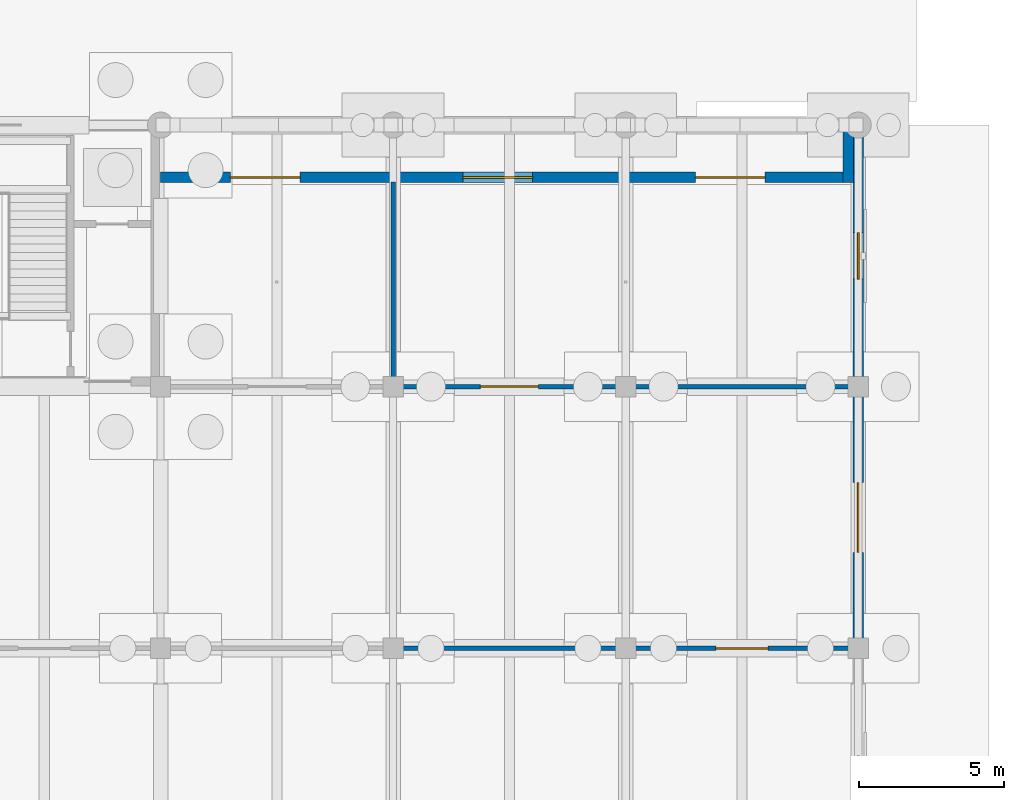
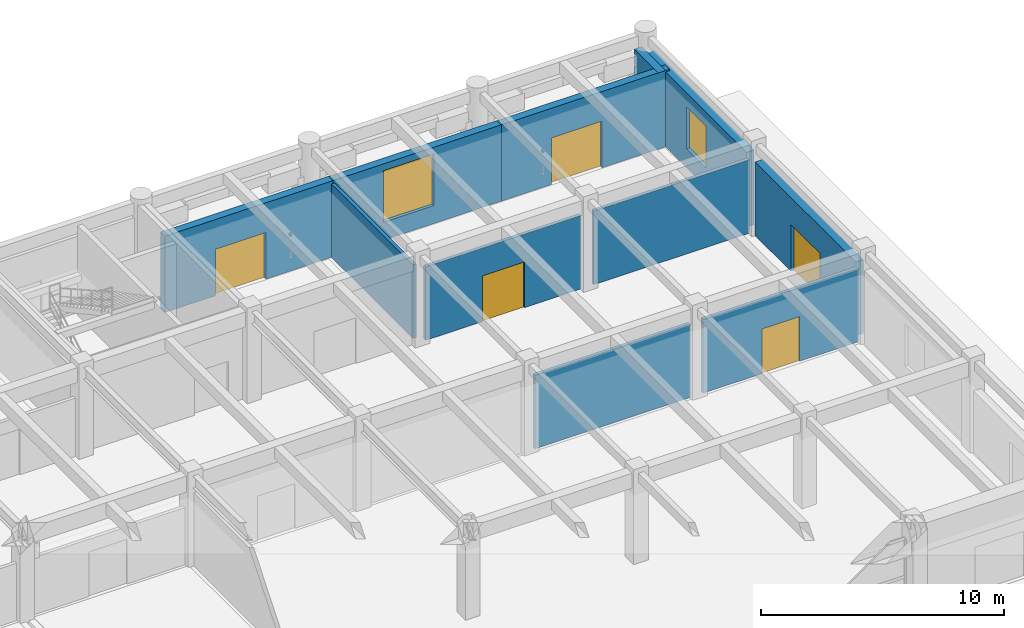
# One storey, part 112 of 147: 11 walls, 5 doors, 2 windows, 7 openings.
"""IFC4 building model written with IfcOpenShell, lengths in metres."""

from ifc_helpers import new_model, si_unit, direction, frame, frame_2d, origin, place, context, subcontext, project, spatial, rectangle, extrude, material, layer, layer_set, type_object, element, fill, save


model = new_model("IFC4")

# Units and contexts
model_context = context("Model", 3, precision=1e-05, world=origin(), true_north=direction((0.0, 1.0)))
body_context = subcontext(model_context, "Body", "Model", "MODEL_VIEW")
ifc_project = project(units=[si_unit("LENGTHUNIT", "METRE"), si_unit("AREAUNIT", "SQUARE_METRE"), si_unit("VOLUMEUNIT", "CUBIC_METRE"), si_unit("PLANEANGLEUNIT", "RADIAN"), si_unit("MASSUNIT", "GRAM", prefix="KILO")], contexts=[model_context])

# Site, building, storey
site_placement = place(None, origin())
site = spatial("IfcSite", under=ifc_project, at=site_placement, CompositionType="ELEMENT")
building_placement = place(site_placement, origin())
building = spatial("IfcBuilding", under=site, at=building_placement, Name="Varnabhumi Central Station", CompositionType="ELEMENT")
storey_placement = place(building_placement, origin())
storey = spatial("IfcBuildingStorey", under=building, at=storey_placement, Name="L00", CompositionType="ELEMENT", Elevation=0.0)

# Wall, opening, door
ifc_material_1 = material(Name="Chunar sandstone masonry", Category="masonry")
ifc_layer_1 = layer(ifc_material_1, 0.360107421875, Name="Chunar sandstone masonry", Category="masonry")
ifc_layer_set_1 = layer_set([ifc_layer_1], Name="Chunar sandstone masonry")
wall_type_1 = type_object("IfcWallType", Name="WAL-EXT-SANDSTONE-360", PredefinedType="SOLIDWALL", material=ifc_layer_set_1)
wall_1_placement = place(storey_placement, frame((136.0, 114.199951171875, 0.0), z_axis=(0.0, 0.0, 1.0), x_axis=(1.0, 0.0, 0.0)))
wall_1 = element("IfcWall", 1, at=wall_1_placement, inside=storey, type_object=wall_type_1, Name="North Boulevard Wall L00-18", PredefinedType="SOLIDWALL", context=body_context, shape_type="SweptSolid", body=[
    extrude(rectangle(XDim=8.0, YDim=0.360107421875, at=frame_2d((4.0, 0.0))), origin(), (0.0, 0.0, 1.0), 3.840087890625),
])
opening_1_placement = place(wall_1_placement, frame((2.39990234375, 0.0, 0.0)))
opening_1 = element("IfcOpeningElement", 2, at=opening_1_placement, cuts=wall_1, Name="Opening ED-1", PredefinedType="OPENING", context=body_context, shape_type="SweptSolid", body=[
    extrude(rectangle(XDim=2.39990234375, YDim=2.35009765625, at=frame_2d((1.199951171875, 1.175048828125))), frame((0.0, 0.18994140625, 0.0), z_axis=(0.0, -1.0, 0.0), x_axis=(1.0, 0.0, 0.0)), (0.0, 0.0, 1.0), 0.380126953125),
])
ifc_material_2 = material(Name="Anodised aluminium 6063-T6", Category="aluminium")
door_type_1 = type_object("IfcDoorType", Name="DR-EXT-PORTAL-2400", OperationType="NOTDEFINED", PredefinedType="DOOR", material=ifc_material_2)
door_1_placement = place(opening_1_placement, origin())
door_1 = element("IfcDoor", 3, at=door_1_placement, inside=storey, type_object=door_type_1, Name="North Boulevard Portal Entrance 18", OperationType="DOUBLE_DOOR_SINGLE_SWING", OverallHeight=2.35009765625, OverallWidth=2.39990234375, PredefinedType="DOOR", context=body_context, shape_type="SweptSolid", body=[
    extrude(rectangle(XDim=2.39990234375, YDim=2.35009765625, at=frame_2d((1.199951171875, 1.175048828125))), frame((0.0, 0.02490234375, 0.0), z_axis=(0.0, -1.0, 0.0), x_axis=(1.0, 0.0, 0.0)), (0.0, 0.0, 1.0), 0.050048828125),
])
fill(opening_1, door_1)

# Wall, opening, window
wall_2_placement = place(storey_placement, frame((144.0, 114.199951171875, 0.0), z_axis=(0.0, 0.0, 1.0), x_axis=(1.0, 0.0, 0.0)))
wall_2 = element("IfcWall", 4, at=wall_2_placement, inside=storey, type_object=wall_type_1, Name="North Boulevard Wall L00-19", PredefinedType="SOLIDWALL", context=body_context, shape_type="SweptSolid", body=[
    extrude(rectangle(XDim=8.0, YDim=0.360107421875, at=frame_2d((4.0, 0.0))), origin(), (0.0, 0.0, 1.0), 3.840087890625),
])
opening_2_placement = place(wall_2_placement, frame((2.39990234375, 0.0, 0.89990234375)))
opening_2 = element("IfcOpeningElement", 5, at=opening_2_placement, cuts=wall_2, Name="Opening W-01", PredefinedType="OPENING", context=body_context, shape_type="SweptSolid", body=[
    extrude(rectangle(XDim=2.39990234375, YDim=2.60009765625, at=frame_2d((1.199951171875, 1.300048828125))), frame((0.0, 0.18994140625, 0.0), z_axis=(0.0, -1.0, 0.0), x_axis=(1.0, 0.0, 0.0)), (0.0, 0.0, 1.0), 0.380126953125),
])
ifc_material_3 = material(Name="Laminated low-E double glazing", Category="glass")
window_type_1 = type_object("IfcWindowType", Name="WIN-ARCADE-2400x2600", PartitioningType="DOUBLE_PANEL_VERTICAL", PredefinedType="WINDOW", material=ifc_material_3)
window_1_placement = place(opening_2_placement, origin())
window_1 = element("IfcWindow", 6, at=window_1_placement, inside=storey, type_object=window_type_1, Name="North Arcade Window L00-19", OverallHeight=2.60009765625, OverallWidth=2.39990234375, PartitioningType="SINGLE_PANEL", PredefinedType="WINDOW", context=body_context, shape_type="SweptSolid", body=[
    extrude(rectangle(XDim=2.39990234375, YDim=2.60009765625, at=frame_2d((1.199951171875, 1.300048828125))), frame((0.0, 0.030029296875, 0.0), z_axis=(0.0, -1.0, 0.0), x_axis=(1.0, 0.0, 0.0)), (0.0, 0.0, 1.0), 0.06005859375),
])
fill(opening_2, window_1)

# Wall
wall_3_placement = place(storey_placement, frame((159.64990234375, 114.02001953125, 0.0), z_axis=(0.0, 0.0, 1.0), x_axis=(0.0, 1.0, 0.0)))
element("IfcWall", 7, at=wall_3_placement, inside=storey, type_object=wall_type_1, Name="Portales Return Wall W-20", PredefinedType="SOLIDWALL", context=body_context, shape_type="SweptSolid", body=[
    extrude(rectangle(XDim=1.97998046875, YDim=0.360107421875, at=frame_2d((0.989990234375, 0.0))), origin(), (0.0, 0.0, 1.0), 3.840087890625),
])

# Wall, opening, door
wall_4_placement = place(storey_placement, frame((152.0, 114.199951171875, 0.0), z_axis=(0.0, 0.0, 1.0), x_axis=(1.0, 0.0, 0.0)))
wall_4 = element("IfcWall", 8, at=wall_4_placement, inside=storey, type_object=wall_type_1, Name="North Boulevard Wall L00-20", PredefinedType="SOLIDWALL", context=body_context, shape_type="SweptSolid", body=[
    extrude(rectangle(XDim=8.0, YDim=0.360107421875, at=frame_2d((4.0, 0.0))), origin(), (0.0, 0.0, 1.0), 3.840087890625),
])
opening_3_placement = place(wall_4_placement, frame((2.39990234375, 0.0, 0.0)))
opening_3 = element("IfcOpeningElement", 9, at=opening_3_placement, cuts=wall_4, Name="Opening ED-1", PredefinedType="OPENING", context=body_context, shape_type="SweptSolid", body=[
    extrude(rectangle(XDim=2.39990234375, YDim=2.35009765625, at=frame_2d((1.199951171875, 1.175048828125))), frame((0.0, 0.18994140625, 0.0), z_axis=(0.0, -1.0, 0.0), x_axis=(1.0, 0.0, 0.0)), (0.0, 0.0, 1.0), 0.380126953125),
])
door_2_placement = place(opening_3_placement, origin())
door_2 = element("IfcDoor", 10, at=door_2_placement, inside=storey, type_object=door_type_1, Name="North Boulevard Portal Entrance 20", OperationType="DOUBLE_DOOR_SINGLE_SWING", OverallHeight=2.35009765625, OverallWidth=2.39990234375, PredefinedType="DOOR", context=body_context, shape_type="SweptSolid", body=[
    extrude(rectangle(XDim=2.39990234375, YDim=2.35009765625, at=frame_2d((1.199951171875, 1.175048828125))), frame((0.0, 0.02490234375, 0.0), z_axis=(0.0, -1.0, 0.0), x_axis=(1.0, 0.0, 0.0)), (0.0, 0.0, 1.0), 0.050048828125),
])
fill(opening_3, door_2)

wall_5_placement = place(storey_placement, frame((160.0, 98.344970703125, 0.0), z_axis=(0.0, 0.0, 1.0), x_axis=(0.0, 1.0, 0.0)))
wall_5 = element("IfcWall", 11, at=wall_5_placement, inside=storey, type_object=wall_type_1, Name="North Wing W End Wall L00-3", PredefinedType="SOLIDWALL", context=body_context, shape_type="SweptSolid", body=[
    extrude(rectangle(XDim=8.31005859375, YDim=0.360107421875, at=frame_2d((4.155029296875, 0.0))), origin(), (0.0, 0.0, 1.0), 3.7099609375),
])
opening_4_placement = place(wall_5_placement, frame((2.955078125, 0.0, 0.0)))
opening_4 = element("IfcOpeningElement", 12, at=opening_4_placement, cuts=wall_5, Name="Opening ED-1", PredefinedType="OPENING", context=body_context, shape_type="SweptSolid", body=[
    extrude(rectangle(XDim=2.39990234375, YDim=2.35009765625, at=frame_2d((1.199951171875, 1.175048828125))), frame((0.0, 0.18994140625, 0.0), z_axis=(0.0, -1.0, 0.0), x_axis=(1.0, 0.0, 0.0)), (0.0, 0.0, 1.0), 0.380126953125),
])
door_3_placement = place(opening_4_placement, origin())
door_3 = element("IfcDoor", 13, at=door_3_placement, inside=storey, type_object=door_type_1, Name="North Wing W Street Entrance 3", OperationType="DOUBLE_DOOR_SINGLE_SWING", OverallHeight=2.35009765625, OverallWidth=2.39990234375, PredefinedType="DOOR", context=body_context, shape_type="SweptSolid", body=[
    extrude(rectangle(XDim=2.39990234375, YDim=2.35009765625, at=frame_2d((1.199951171875, 1.175048828125))), frame((0.0, 0.02490234375, 0.0), z_axis=(0.0, -1.0, 0.0), x_axis=(1.0, 0.0, 0.0)), (0.0, 0.0, 1.0), 0.050048828125),
])
fill(opening_4, door_3)

# Wall, opening, window
wall_6_placement = place(storey_placement, frame((160.0, 107.344970703125, 0.0), z_axis=(0.0, 0.0, 1.0), x_axis=(0.0, 1.0, 0.0)))
wall_6 = element("IfcWall", 14, at=wall_6_placement, inside=storey, type_object=wall_type_1, Name="North Wing W End Wall L00-4", PredefinedType="SOLIDWALL", context=body_context, shape_type="SweptSolid", body=[
    extrude(rectangle(XDim=8.255126953125, YDim=0.360107421875, at=frame_2d((4.12744140625, 0.0))), origin(), (0.0, 0.0, 1.0), 3.760009765625),
])
opening_5_placement = place(wall_6_placement, frame((3.35498046875, 0.0, 0.949951171875)))
opening_5 = element("IfcOpeningElement", 15, at=opening_5_placement, cuts=wall_6, Name="Opening W-04", PredefinedType="OPENING", context=body_context, shape_type="SweptSolid", body=[
    extrude(rectangle(XDim=1.60009765625, YDim=2.10009765625, at=frame_2d((0.800048828125, 1.050048828125))), frame((0.0, 0.18994140625, 0.0), z_axis=(0.0, -1.0, 0.0), x_axis=(1.0, 0.0, 0.0)), (0.0, 0.0, 1.0), 0.380126953125),
])
window_type_2 = type_object("IfcWindowType", Name="WIN-PIER-1600x2200", PartitioningType="SINGLE_PANEL", PredefinedType="WINDOW", material=ifc_material_3)
window_2_placement = place(opening_5_placement, origin())
window_2 = element("IfcWindow", 16, at=window_2_placement, inside=storey, type_object=window_type_2, Name="North W Window L00-4", OverallHeight=2.10009765625, OverallWidth=1.60009765625, PartitioningType="SINGLE_PANEL", PredefinedType="WINDOW", context=body_context, shape_type="SweptSolid", body=[
    extrude(rectangle(XDim=1.60009765625, YDim=2.10009765625, at=frame_2d((0.800048828125, 1.050048828125))), frame((0.0, 0.030029296875, 0.0), z_axis=(0.0, -1.0, 0.0), x_axis=(1.0, 0.0, 0.0)), (0.0, 0.0, 1.0), 0.06005859375),
])
fill(opening_5, window_2)

# Wall
ifc_material_4 = material(Name="Autoclaved aerated blockwork masonry", Category="masonry")
ifc_layer_2 = layer(ifc_material_4, 0.159912109375, Name="Autoclaved aerated blockwork masonry", Category="masonry")
ifc_layer_set_2 = layer_set([ifc_layer_2], Name="Autoclaved aerated blockwork masonry")
wall_type_2 = type_object("IfcWallType", Name="WAL-PART-AAC-160", PredefinedType="PARTITIONING", material=ifc_layer_set_2)
wall_7_placement = place(storey_placement, frame((144.0, 107.300048828125, 0.0), z_axis=(0.0, 0.0, 1.0), x_axis=(0.0, 1.0, 0.0)))
element("IfcWall", 17, at=wall_7_placement, inside=storey, type_object=wall_type_2, Name="Railway Book Stall and Newsagent W Partition 1", PredefinedType="PARTITIONING", context=body_context, shape_type="SweptSolid", body=[
    extrude(rectangle(XDim=6.739990234375, YDim=0.159912109375, at=frame_2d((3.3701171875, 0.0))), origin(), (0.0, 0.0, 1.0), 3.699951171875),
])

# Wall, opening, door
wall_8_placement = place(storey_placement, frame((144.300048828125, 107.0, 0.0), z_axis=(0.0, 0.0, 1.0), x_axis=(1.0, 0.0, 0.0)))
wall_8 = element("IfcWall", 18, at=wall_8_placement, inside=storey, type_object=wall_type_2, Name="Handicrafts and Souvenir Shop Corridor Partition 1", PredefinedType="PARTITIONING", context=body_context, shape_type="SweptSolid", body=[
    extrude(rectangle(XDim=7.39990234375, YDim=0.159912109375, at=frame_2d((3.699951171875, 0.0))), origin(), (0.0, 0.0, 1.0), 3.699951171875),
])
opening_6_placement = place(wall_8_placement, frame((2.699951171875, 0.0, 0.0)))
opening_6 = element("IfcOpeningElement", 19, at=opening_6_placement, cuts=wall_8, Name="Opening D-03", PredefinedType="OPENING", context=body_context, shape_type="SweptSolid", body=[
    extrude(rectangle(XDim=2.0, YDim=2.300048828125, at=frame_2d((1.0, 1.14990234375))), frame((0.0, 0.08984375, 0.0), z_axis=(0.0, -1.0, 0.0), x_axis=(1.0, 0.0, 0.0)), (0.0, 0.0, 1.0), 0.179931640625),
])
door_type_2 = type_object("IfcDoorType", Name="DR-SHOP-2000", OperationType="NOTDEFINED", PredefinedType="DOOR", material=ifc_material_2)
door_4_placement = place(opening_6_placement, frame((2.0, 0.0, 0.0), z_axis=(0.0, 0.0, 1.0), x_axis=(-1.0, 0.0, 0.0)))
door_4 = element("IfcDoor", 20, at=door_4_placement, inside=storey, type_object=door_type_2, Name="Handicrafts and Souvenir Shop Door 1", OperationType="DOUBLE_DOOR_SINGLE_SWING", OverallHeight=2.300048828125, OverallWidth=2.0, PredefinedType="DOOR", context=body_context, shape_type="SweptSolid", body=[
    extrude(rectangle(XDim=2.0, YDim=2.300048828125, at=frame_2d((1.0, 1.14990234375))), frame((0.0, 0.02490234375, 0.0), z_axis=(0.0, -1.0, 0.0), x_axis=(1.0, 0.0, 0.0)), (0.0, 0.0, 1.0), 0.050048828125),
])
fill(opening_6, door_4)

# Walls
for number, where, z_axis, x_axis, name in (
    (21, (152.300048828125, 107.0, 0.0), (0.0, 0.0, 1.0), (1.0, 0.0, 0.0), "Handicrafts and Souvenir Shop Corridor Partition 2"),
    (22, (144.300048828125, 98.0, 0.0), (0.0, 0.0, 1.0), (1.0, 0.0, 0.0), "Passenger Information and Community Desk Corridor Partition 3"),
):
    element("IfcWall", number, at=place(storey_placement, frame(where, z_axis=z_axis, x_axis=x_axis)), inside=storey, type_object=wall_type_2, Name=name, PredefinedType="PARTITIONING", context=body_context, shape_type="SweptSolid", body=[
        extrude(rectangle(XDim=7.39990234375, YDim=0.159912109375, at=frame_2d((3.699951171875, 0.0))), origin(), (0.0, 0.0, 1.0), 3.699951171875),
    ])

# Wall, opening, door
wall_9_placement = place(storey_placement, frame((152.300048828125, 98.0, 0.0), z_axis=(0.0, 0.0, 1.0), x_axis=(1.0, 0.0, 0.0)))
wall_9 = element("IfcWall", 23, at=wall_9_placement, inside=storey, type_object=wall_type_2, Name="Passenger Information and Community Desk Corridor Partition 4", PredefinedType="PARTITIONING", context=body_context, shape_type="SweptSolid", body=[
    extrude(rectangle(XDim=7.39990234375, YDim=0.159912109375, at=frame_2d((3.699951171875, 0.0))), origin(), (0.0, 0.0, 1.0), 3.699951171875),
])
opening_7_placement = place(wall_9_placement, frame((2.800048828125, 0.0, 0.0)))
opening_7 = element("IfcOpeningElement", 24, at=opening_7_placement, cuts=wall_9, Name="Opening D-02", PredefinedType="OPENING", context=body_context, shape_type="SweptSolid", body=[
    extrude(rectangle(XDim=1.800048828125, YDim=2.25, at=frame_2d((0.89990234375, 1.125))), frame((0.0, 0.08984375, 0.0), z_axis=(0.0, -1.0, 0.0), x_axis=(1.0, 0.0, 0.0)), (0.0, 0.0, 1.0), 0.179931640625),
])
door_type_3 = type_object("IfcDoorType", Name="DR-LOUNGE-1800", OperationType="NOTDEFINED", PredefinedType="DOOR", material=ifc_material_2)
door_5_placement = place(opening_7_placement, origin())
door_5 = element("IfcDoor", 25, at=door_5_placement, inside=storey, type_object=door_type_3, Name="Passenger Information and Community Desk Door 4", OperationType="DOUBLE_DOOR_SINGLE_SWING", OverallHeight=2.25, OverallWidth=1.800048828125, PredefinedType="DOOR", context=body_context, shape_type="SweptSolid", body=[
    extrude(rectangle(XDim=1.800048828125, YDim=2.25, at=frame_2d((0.89990234375, 1.125))), frame((0.0, 0.02490234375, 0.0), z_axis=(0.0, -1.0, 0.0), x_axis=(1.0, 0.0, 0.0)), (0.0, 0.0, 1.0), 0.050048828125),
])
fill(opening_7, door_5)

save(model, "model.ifc")
